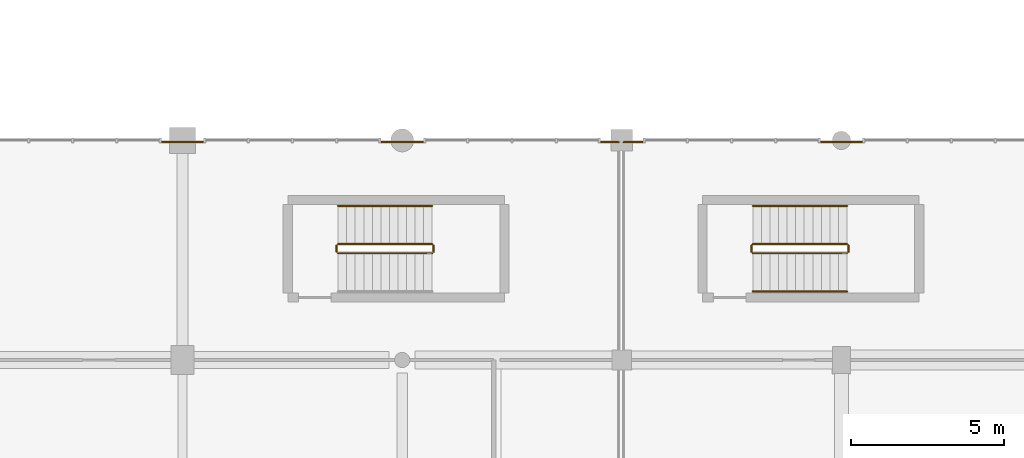
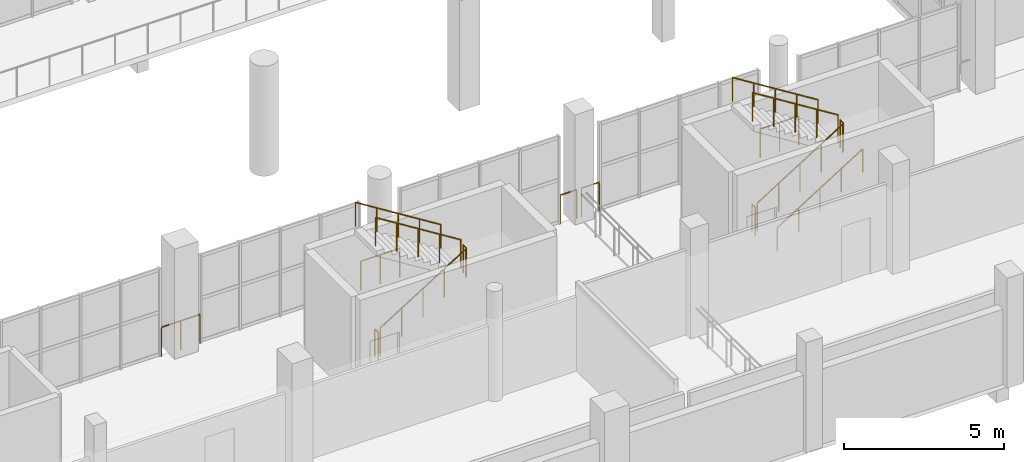
# One storey, part 85 of 92: 16 railings.
"""IFC4 building model written with IfcOpenShell, lengths in metres."""

import ifcopenshell
import ifcopenshell.guid

model = None  # the IFC model being written
_history = None  # IfcOwnerHistory: only IFC2X3 demands one
_inside = {}  # id of a spatial element -> (the spatial element, [elements in it])
_under = {}  # id of a project, library or spatial element -> (it, [spatial elements below it])
_declared = {}  # id of a project -> (the project, [libraries it declares])
_typed = {}  # id of a type object -> (the type object, [elements of that type])
_made_of = {}  # id of a material, layer set ... -> (it, [elements and type objects made of it])


def new_model(schema):
    """Start an empty IFC model of exactly this schema.

    Asked for "IFC4X3", IfcOpenShell would pick the latest addendum, in which some entities
    have other attributes; the version numbers below select the first issue.
    IFC2X3 requires an IfcOwnerHistory on every rooted entity: one is made here for all.
    """
    global model, _history
    if schema == "IFC4X3":
        model = ifcopenshell.file(schema_version=(4, 3, 0, 0))
    else:
        model = ifcopenshell.file(schema=schema)
    _inside.clear()
    _under.clear()
    _declared.clear()
    _typed.clear()
    _made_of.clear()
    _history = None
    if model.schema == "IFC2X3":
        org = make("IfcOrganization", Name="unknown")
        user = make(
            "IfcPersonAndOrganization",
            ThePerson=make("IfcPerson", FamilyName="unknown"),
            TheOrganization=org,
        )
        app = make(
            "IfcApplication",
            ApplicationDeveloper=org,
            Version="unknown",
            ApplicationFullName="unknown",
            ApplicationIdentifier="unknown",
        )
        _history = make(
            "IfcOwnerHistory",
            OwningUser=user,
            OwningApplication=app,
            ChangeAction="ADDED",
            CreationDate=0,
        )
    return model


def make(cls, **values):
    """One entity of the class cls with the attributes given. An attribute that is None is left unset."""
    return model.create_entity(
        cls, **{name: value for name, value in values.items() if value is not None}
    )


def rooted(cls, **values):
    """An entity with a GlobalId (a new one), such as an element, a storey or a relation."""
    return make(cls, GlobalId=ifcopenshell.guid.new(), OwnerHistory=_history, **values)


def si_unit(unit_type, name, prefix=None):
    """IfcSIUnit, for example si_unit("LENGTHUNIT", "METRE", prefix="MILLI")."""
    return make("IfcSIUnit", UnitType=unit_type, Prefix=prefix, Name=name)


def assignment(units):
    """IfcUnitAssignment: the units of a project."""
    return None if units is None else make("IfcUnitAssignment", Units=units)


def point(xyz):
    """IfcCartesianPoint."""
    return None if xyz is None else make("IfcCartesianPoint", Coordinates=xyz)


def direction(xyz):
    """IfcDirection."""
    return None if xyz is None else make("IfcDirection", DirectionRatios=xyz)


def frame(location, z_axis=None, x_axis=None):
    """IfcAxis2Placement3D, a coordinate frame: its origin and axes. An axis left out is left unset."""
    return make(
        "IfcAxis2Placement3D",
        Location=point(location),
        Axis=direction(z_axis),
        RefDirection=direction(x_axis),
    )


def frame_2d(location, x_axis=None):
    """IfcAxis2Placement2D, a coordinate frame in the plane: its origin and x axis."""
    return make(
        "IfcAxis2Placement2D", Location=point(location), RefDirection=direction(x_axis)
    )


def origin():
    """The frame at (0, 0, 0) with its axes left unset."""
    return frame((0.0, 0.0, 0.0))


def origin_2d():
    """The frame at (0, 0) in the plane with its x axis left unset."""
    return frame_2d((0.0, 0.0))


def place(relative_to, where):
    """IfcLocalPlacement: puts the frame where relative to a parent placement (None: the world)."""
    return make(
        "IfcLocalPlacement", PlacementRelTo=relative_to, RelativePlacement=where
    )


def context(
    kind, dimensions, precision=None, world=None, true_north=None, identifier=None
):
    """IfcGeometricRepresentationContext, for example the 3D "Model" context."""
    return make(
        "IfcGeometricRepresentationContext",
        ContextIdentifier=identifier,
        ContextType=kind,
        CoordinateSpaceDimension=dimensions,
        Precision=precision,
        WorldCoordinateSystem=world,
        TrueNorth=true_north,
    )


def subcontext(parent, identifier, kind, view, scale=None):
    """IfcGeometricRepresentationSubContext, for example "Body" below "Model"."""
    return make(
        "IfcGeometricRepresentationSubContext",
        ContextIdentifier=identifier,
        ContextType=kind,
        ParentContext=parent,
        TargetScale=scale,
        TargetView=view,
    )


def project(units=None, contexts=None):
    """IfcProject with its units and contexts."""
    return rooted(
        "IfcProject",
        Name="project",
        RepresentationContexts=contexts,
        UnitsInContext=assignment(units),
    )


def spatial(cls, under=None, at=None, **own):
    """A site, building, storey or space (cls), placed at a placement, below another one or the project."""
    s = rooted(cls, ObjectPlacement=at, **own)
    if under is not None:
        _under.setdefault(under.id(), (under, []))[1].append(s)
    return s


def profile(cls, at=None, kind="AREA", **sizes):
    """A parametric profile (cls). Its sizes go by their IFC names, for example OverallWidth=200.0."""
    return make(cls, ProfileType=kind, Position=at, **sizes)


def circle(**sizes):
    """IfcCircleProfileDef."""
    return profile("IfcCircleProfileDef", **sizes)


def extrude(swept, where, along, depth):
    """IfcExtrudedAreaSolid: the profile swept, set in the frame where, extruded along a direction by depth."""
    return make(
        "IfcExtrudedAreaSolid",
        SweptArea=swept,
        Position=where,
        ExtrudedDirection=direction(along),
        Depth=depth,
    )


def shape(context_of_items, identifier, shape_type, items):
    """IfcShapeRepresentation: the items that make up one representation, for example the "Body"."""
    return make(
        "IfcShapeRepresentation",
        ContextOfItems=context_of_items,
        RepresentationIdentifier=identifier,
        RepresentationType=shape_type,
        Items=items,
    )


def material(Name=None, Category=None):
    """IfcMaterial."""
    return make("IfcMaterial", Name=Name, Category=Category)


def layer(
    of_material, thickness, ventilated=None, Name=None, Category=None, Priority=None
):
    """IfcMaterialLayer: one layer of a wall or slab, of a material (None: an air gap)."""
    return make(
        "IfcMaterialLayer",
        Material=of_material,
        LayerThickness=thickness,
        IsVentilated=ventilated,
        Name=Name,
        Category=Category,
        Priority=Priority,
    )


def layer_set(layers, Name=None):
    """IfcMaterialLayerSet."""
    return make("IfcMaterialLayerSet", MaterialLayers=layers, LayerSetName=Name)


def made_of(thing, what):
    """Note that an element or type object is made of a material, layer set ...; save() writes the relation."""
    if what is not None:
        _made_of.setdefault(what.id(), (what, []))[1].append(thing)
    return thing


def type_object(cls, material=None, **own):
    """A type object (cls), such as IfcWallType, which elements share."""
    return made_of(rooted(cls, **own), material)


def element(
    cls,
    number,
    at=None,
    inside=None,
    cuts=None,
    type_object=None,
    material=None,
    context=None,
    identifier="Body",
    shape_type=None,
    held_by="IfcProductDefinitionShape",
    body=None,
    shapes=None,
    **own,
):
    """One element of the class cls, such as IfcWall. Its Tag is "e" and its number.

    at: its placement. inside: the storey or other place that contains it. cuts: it is an
    opening in that element (IfcRelVoidsElement). A single representation is given by context,
    identifier, shape_type and body (its items); several are given by shapes. held_by: the class
    of the entity that holds the representations. save() writes the other relations.
    """
    e = rooted(cls, Tag="e%d" % number, ObjectPlacement=at, **own)
    if body is not None:
        shapes = [shape(context, identifier, shape_type, body)]
    if shapes is not None:
        e.Representation = make(held_by, Representations=shapes)
    if inside is not None:
        _inside.setdefault(inside.id(), (inside, []))[1].append(e)
    if cuts is not None:
        rooted(
            "IfcRelVoidsElement", RelatingBuildingElement=cuts, RelatedOpeningElement=e
        )
    if type_object is not None:
        _typed.setdefault(type_object.id(), (type_object, []))[1].append(e)
    return made_of(e, material)


def aggregate(whole, parts):
    """IfcRelAggregates: a whole, such as a stair, and the parts it consists of."""
    return rooted("IfcRelAggregates", RelatingObject=whole, RelatedObjects=parts)


def save(model, path):
    """Write the relations noted so far, then the file.

    IfcRelAggregates (storeys below a building ...), IfcRelContainedInSpatialStructure (elements
    in a storey), IfcRelDefinesByType, IfcRelAssociatesMaterial and IfcRelDeclares: one each for
    every whole, place, type object, material and project.
    """
    for whole, parts in _under.values():
        aggregate(whole, parts)
    for where, things in _inside.values():
        rooted(
            "IfcRelContainedInSpatialStructure",
            RelatedElements=things,
            RelatingStructure=where,
        )
    for kind, things in _typed.values():
        rooted("IfcRelDefinesByType", RelatedObjects=things, RelatingType=kind)
    for what, things in _made_of.values():
        rooted("IfcRelAssociatesMaterial", RelatedObjects=things, RelatingMaterial=what)
    for by, libraries in _declared.values():
        rooted("IfcRelDeclares", RelatingContext=by, RelatedDefinitions=libraries)
    model.write(path)


model = new_model("IFC4")

# Units and contexts
model_context = context("Model", 3, precision=1e-05, world=origin(), true_north=direction((0.0, 1.0)))
body_context = subcontext(model_context, "Body", "Model", "MODEL_VIEW")
ifc_project = project(units=[si_unit("LENGTHUNIT", "METRE"), si_unit("AREAUNIT", "SQUARE_METRE"), si_unit("VOLUMEUNIT", "CUBIC_METRE"), si_unit("PLANEANGLEUNIT", "RADIAN"), si_unit("MASSUNIT", "GRAM", prefix="KILO")], contexts=[model_context])

# Site, building, storey
site_placement = place(None, origin())
site = spatial("IfcSite", under=ifc_project, at=site_placement, CompositionType="ELEMENT")
building_placement = place(site_placement, origin())
building = spatial("IfcBuilding", under=site, at=building_placement, Name="Solanera Park Tramway Depot", CompositionType="ELEMENT")
storey_placement = place(building_placement, frame((0.0, 0.0, 4.800048828125)))
storey = spatial("IfcBuildingStorey", under=building, at=storey_placement, Name="L01", CompositionType="ELEMENT", Elevation=4.800048828125)

# Railings
ifc_material_1 = material(Name="Powder-coated galvanised steel balustrade", Category="steel")
ifc_layer_1 = layer(ifc_material_1, 0.06005859375)
ifc_layer_set_1 = layer_set([ifc_layer_1], Name="Powder-coated galvanised steel balustrade")
railing_type_1 = type_object("IfcRailingType", Name="Classical Wrought-Style Balustrade 1120", PredefinedType="BALUSTRADE", material=ifc_layer_set_1)
for number, where, name in (
    (1, (136.10009765625, 25.139892578125, 0.0), "L01 Perimeter Deck Balustrade #007"),
    (2, (143.300048828125, 25.139892578125, 0.0), "L01 Perimeter Deck Balustrade #008"),
):
    element("IfcRailing", number, at=place(storey_placement, frame(where)), inside=storey, type_object=railing_type_1, Name=name, PredefinedType="BALUSTRADE", context=body_context, shape_type="SweptSolid", body=[
        extrude(circle(Radius=0.02392578125, at=origin_2d()), frame((0.0, 0.0, 1.09619140625), z_axis=(1.0, 0.0, 0.0), x_axis=(0.0, 1.0, 0.0)), (0.0, 0.0, 1.0), 1.39990234375),
        extrude(circle(Radius=0.02099609375, at=origin_2d()), origin(), (0.0, 0.0, 1.0), 1.072021484375),
        extrude(circle(Radius=0.02099609375, at=origin_2d()), frame((0.699951171875, 0.0, 0.0)), (0.0, 0.0, 1.0), 1.072021484375),
        extrude(circle(Radius=0.02099609375, at=origin_2d()), frame((1.39990234375, 0.0, 0.0)), (0.0, 0.0, 1.0), 1.072021484375),
    ])
railing_1_placement = place(storey_placement, frame((150.5, 25.139892578125, 0.0)))
element("IfcRailing", 3, at=railing_1_placement, inside=storey, type_object=railing_type_1, Name="L01 Perimeter Deck Balustrade #009", PredefinedType="BALUSTRADE", context=body_context, shape_type="SweptSolid", body=[
    extrude(circle(Radius=0.02392578125, at=origin_2d()), frame((0.0, 0.0, 1.09619140625), z_axis=(1.0, 0.0, 0.0), x_axis=(0.0, 1.0, 0.0)), (0.0, 0.0, 1.0), 0.590087890625),
    extrude(circle(Radius=0.02099609375, at=origin_2d()), origin(), (0.0, 0.0, 1.0), 1.072021484375),
    extrude(circle(Radius=0.02099609375, at=origin_2d()), frame((0.590087890625, 0.0, 0.0)), (0.0, 0.0, 1.0), 1.072021484375),
])
railing_2_placement = place(storey_placement, frame((151.260009765625, 25.139892578125, 0.0)))
element("IfcRailing", 4, at=railing_2_placement, inside=storey, type_object=railing_type_1, Name="L01 Perimeter Deck Balustrade #025", PredefinedType="BALUSTRADE", context=body_context, shape_type="SweptSolid", body=[
    extrude(circle(Radius=0.02392578125, at=origin_2d()), frame((0.0, 0.0, 1.09619140625), z_axis=(1.0, 0.0, 0.0), x_axis=(0.0, 1.0, 0.0)), (0.0, 0.0, 1.0), 0.639892578125),
    extrude(circle(Radius=0.02099609375, at=origin_2d()), origin(), (0.0, 0.0, 1.0), 1.072021484375),
    extrude(circle(Radius=0.02099609375, at=origin_2d()), frame((0.639892578125, 0.0, 0.0)), (0.0, 0.0, 1.0), 1.072021484375),
])
railing_3_placement = place(storey_placement, frame((157.699951171875, 25.139892578125, 0.0)))
element("IfcRailing", 5, at=railing_3_placement, inside=storey, type_object=railing_type_1, Name="L01 Perimeter Deck Balustrade #026", PredefinedType="BALUSTRADE", context=body_context, shape_type="SweptSolid", body=[
    extrude(circle(Radius=0.02392578125, at=origin_2d()), frame((0.0, 0.0, 1.09619140625), z_axis=(1.0, 0.0, 0.0), x_axis=(0.0, 1.0, 0.0)), (0.0, 0.0, 1.0), 1.400146484375),
    extrude(circle(Radius=0.02099609375, at=origin_2d()), origin(), (0.0, 0.0, 1.0), 1.072021484375),
    extrude(circle(Radius=0.02099609375, at=origin_2d()), frame((0.7001953125, 0.0, 0.0)), (0.0, 0.0, 1.0), 1.072021484375),
    extrude(circle(Radius=0.02099609375, at=origin_2d()), frame((1.400146484375, 0.0, 0.0)), (0.0, 0.0, 1.0), 1.072021484375),
])
ifc_material_2 = material(Name="Brushed stainless steel 316 handrail", Category="steel")
ifc_layer_2 = layer(ifc_material_2, 0.050048828125)
ifc_layer_set_2 = layer_set([ifc_layer_2], Name="Brushed stainless steel 316 handrail")
railing_type_2 = type_object("IfcRailingType", Name="Stair Pitch Tubular Handrail 920", PredefinedType="HANDRAIL", material=ifc_layer_set_2)
railing_4_placement = place(storey_placement, frame((144.97998046875, 23.050048828125, 2.27490234375)))
element("IfcRailing", 6, at=railing_4_placement, inside=storey, type_object=railing_type_2, Name="ST-02 L01 Pitch Handrail 2", PredefinedType="HANDRAIL", context=body_context, shape_type="SweptSolid", body=[
    extrude(circle(Radius=0.02392578125, at=origin_2d()), frame((0.0, 0.0, 0.89599609375), z_axis=(-0.847998304005, 0.0, 0.529998940003), x_axis=(0.0, -1.0, 0.0)), (0.0, 0.0, 1.0), 3.632080078125),
    extrude(circle(Radius=0.02099609375, at=origin_2d()), origin(), (0.0, 0.0, 1.0), 0.871826171875),
    extrude(circle(Radius=0.02099609375, at=origin_2d()), frame((-0.77001953125, 0.0, 0.481201171875)), (0.0, 0.0, 1.0), 0.871826171875),
    extrude(circle(Radius=0.02099609375, at=origin_2d()), frame((-1.5400390625, 0.0, 0.96240234375)), (0.0, 0.0, 1.0), 0.871826171875),
    extrude(circle(Radius=0.02099609375, at=origin_2d()), frame((-2.31005859375, 0.0, 1.44384765625)), (0.0, 0.0, 1.0), 0.871826171875),
    extrude(circle(Radius=0.02099609375, at=origin_2d()), frame((-3.080078125, 0.0, 1.925048828125)), (0.0, 0.0, 1.0), 0.871826171875),
])
railing_5_placement = place(storey_placement, frame((155.5, 20.25, 0.175048828125)))
element("IfcRailing", 7, at=railing_5_placement, inside=storey, type_object=railing_type_2, Name="ST-03 L01 Pitch Handrail 1", PredefinedType="HANDRAIL", context=body_context, shape_type="SweptSolid", body=[
    extrude(circle(Radius=0.02392578125, at=origin_2d()), frame((0.0, 0.0, 0.89599609375), z_axis=(0.848028513186, 0.0, 0.529950602248), x_axis=(0.0, 1.0, 0.0)), (0.0, 0.0, 1.0), 3.632080078125),
    extrude(circle(Radius=0.02099609375, at=origin_2d()), origin(), (0.0, 0.0, 1.0), 0.871826171875),
    extrude(circle(Radius=0.02099609375, at=origin_2d()), frame((0.77001953125, 0.0, 0.481201171875)), (0.0, 0.0, 1.0), 0.871826171875),
    extrude(circle(Radius=0.02099609375, at=origin_2d()), frame((1.5400390625, 0.0, 0.96240234375)), (0.0, 0.0, 1.0), 0.871826171875),
    extrude(circle(Radius=0.02099609375, at=origin_2d()), frame((2.31005859375, 0.0, 1.443603515625)), (0.0, 0.0, 1.0), 0.871826171875),
    extrude(circle(Radius=0.02099609375, at=origin_2d()), frame((3.080078125, 0.0, 1.9248046875)), (0.0, 0.0, 1.0), 0.871826171875),
])
railing_6_placement = place(storey_placement, frame((158.580078125, 23.050048828125, 2.27490234375)))
element("IfcRailing", 8, at=railing_6_placement, inside=storey, type_object=railing_type_2, Name="ST-03 L01 Pitch Handrail 2", PredefinedType="HANDRAIL", context=body_context, shape_type="SweptSolid", body=[
    extrude(circle(Radius=0.02392578125, at=origin_2d()), frame((0.0, 0.0, 0.89599609375), z_axis=(-0.847998304005, 0.0, 0.529998940003), x_axis=(0.0, -1.0, 0.0)), (0.0, 0.0, 1.0), 3.632080078125),
    extrude(circle(Radius=0.02099609375, at=origin_2d()), origin(), (0.0, 0.0, 1.0), 0.871826171875),
    extrude(circle(Radius=0.02099609375, at=origin_2d()), frame((-0.77001953125, 0.0, 0.481201171875)), (0.0, 0.0, 1.0), 0.871826171875),
    extrude(circle(Radius=0.02099609375, at=origin_2d()), frame((-1.5400390625, 0.0, 0.96240234375)), (0.0, 0.0, 1.0), 0.871826171875),
    extrude(circle(Radius=0.02099609375, at=origin_2d()), frame((-2.31005859375, 0.0, 1.44384765625)), (0.0, 0.0, 1.0), 0.871826171875),
    extrude(circle(Radius=0.02099609375, at=origin_2d()), frame((-3.080078125, 0.0, 1.925048828125)), (0.0, 0.0, 1.0), 0.871826171875),
])
ifc_material_3 = material(Name="Steel AS/NZS 1163 Grade C350L0", Category="steel")
ifc_layer_3 = layer(ifc_material_3, 0.06005859375)
ifc_layer_set_3 = layer_set([ifc_layer_3], Name="Steel AS/NZS 1163 Grade C350L0")
railing_type_3 = type_object("IfcRailingType", Name="Stairwell Guardrail 1100", PredefinedType="GUARDRAIL", material=ifc_layer_set_3)
railing_7_placement = place(storey_placement, frame((141.89990234375, 21.5, 0.175048828125)))
element("IfcRailing", 9, at=railing_7_placement, inside=storey, type_object=railing_type_3, Name="ST-02 L01 Well Guard 1", PredefinedType="GUARDRAIL", context=body_context, shape_type="SweptSolid", body=[
    extrude(circle(Radius=0.02392578125, at=origin_2d()), frame((0.0, 0.0, 1.076171875), z_axis=(0.848028513186, 0.0, 0.529950602248), x_axis=(0.0, 1.0, 0.0)), (0.0, 0.0, 1.0), 3.632080078125),
    extrude(circle(Radius=0.02099609375, at=origin_2d()), origin(), (0.0, 0.0, 1.0), 1.052001953125),
    extrude(circle(Radius=0.02099609375, at=origin_2d()), frame((0.77001953125, 0.0, 0.481201171875)), (0.0, 0.0, 1.0), 1.052001953125),
    extrude(circle(Radius=0.02099609375, at=origin_2d()), frame((1.5400390625, 0.0, 0.96240234375)), (0.0, 0.0, 1.0), 1.052001953125),
    extrude(circle(Radius=0.02099609375, at=origin_2d()), frame((2.31005859375, 0.0, 1.443603515625)), (0.0, 0.0, 1.0), 1.052001953125),
    extrude(circle(Radius=0.02099609375, at=origin_2d()), frame((3.080078125, 0.0, 1.9248046875)), (0.0, 0.0, 1.0), 1.052001953125),
])
railing_8_placement = place(storey_placement, frame((145.030029296875, 21.550048828125, 2.099853515625)))
element("IfcRailing", 10, at=railing_8_placement, inside=storey, type_object=railing_type_3, Name="ST-02 L01 Well Guard 2", PredefinedType="GUARDRAIL", context=body_context, shape_type="SweptSolid", body=[
    extrude(circle(Radius=0.02392578125, at=origin_2d()), frame((0.0, 0.0, 1.076171875), z_axis=(0.0, 1.0, 0.0), x_axis=(-1.0, 0.0, 0.0)), (0.0, 0.0, 1.0), 0.199951171875),
    extrude(circle(Radius=0.02099609375, at=origin_2d()), origin(), (0.0, 0.0, 1.0), 1.052001953125),
    extrude(circle(Radius=0.02099609375, at=origin_2d()), frame((0.0, 0.199951171875, 0.0)), (0.0, 0.0, 1.0), 1.052001953125),
])
railing_9_placement = place(storey_placement, frame((144.97998046875, 21.800048828125, 2.27490234375)))
element("IfcRailing", 11, at=railing_9_placement, inside=storey, type_object=railing_type_3, Name="ST-02 L01 Well Guard 3", PredefinedType="GUARDRAIL", context=body_context, shape_type="SweptSolid", body=[
    extrude(circle(Radius=0.02392578125, at=origin_2d()), frame((0.0, 0.0, 1.076171875), z_axis=(-0.847998304005, 0.0, 0.529998940003), x_axis=(0.0, -1.0, 0.0)), (0.0, 0.0, 1.0), 3.632080078125),
    extrude(circle(Radius=0.02099609375, at=origin_2d()), origin(), (0.0, 0.0, 1.0), 1.052001953125),
    extrude(circle(Radius=0.02099609375, at=origin_2d()), frame((-0.77001953125, 0.0, 0.481201171875)), (0.0, 0.0, 1.0), 1.052001953125),
    extrude(circle(Radius=0.02099609375, at=origin_2d()), frame((-1.5400390625, 0.0, 0.96240234375)), (0.0, 0.0, 1.0), 1.052001953125),
    extrude(circle(Radius=0.02099609375, at=origin_2d()), frame((-2.31005859375, 0.0, 1.44384765625)), (0.0, 0.0, 1.0), 1.052001953125),
    extrude(circle(Radius=0.02099609375, at=origin_2d()), frame((-3.080078125, 0.0, 1.925048828125)), (0.0, 0.0, 1.0), 1.052001953125),
])
railing_10_placement = place(storey_placement, frame((141.85009765625, 21.550048828125, 0.0)))
element("IfcRailing", 12, at=railing_10_placement, inside=storey, type_object=railing_type_3, Name="ST-02 L01 Well Guard 4", PredefinedType="GUARDRAIL", context=body_context, shape_type="SweptSolid", body=[
    extrude(circle(Radius=0.02392578125, at=origin_2d()), frame((0.0, 0.0, 1.076171875), z_axis=(0.0, 1.0, 0.0), x_axis=(-1.0, 0.0, 0.0)), (0.0, 0.0, 1.0), 0.199951171875),
    extrude(circle(Radius=0.02099609375, at=origin_2d()), origin(), (0.0, 0.0, 1.0), 1.052001953125),
    extrude(circle(Radius=0.02099609375, at=origin_2d()), frame((0.0, 0.199951171875, 0.0)), (0.0, 0.0, 1.0), 1.052001953125),
])
railing_11_placement = place(storey_placement, frame((155.5, 21.5, 0.175048828125)))
element("IfcRailing", 13, at=railing_11_placement, inside=storey, type_object=railing_type_3, Name="ST-03 L01 Well Guard 1", PredefinedType="GUARDRAIL", context=body_context, shape_type="SweptSolid", body=[
    extrude(circle(Radius=0.02392578125, at=origin_2d()), frame((0.0, 0.0, 1.076171875), z_axis=(0.848028513186, 0.0, 0.529950602248), x_axis=(0.0, 1.0, 0.0)), (0.0, 0.0, 1.0), 3.632080078125),
    extrude(circle(Radius=0.02099609375, at=origin_2d()), origin(), (0.0, 0.0, 1.0), 1.052001953125),
    extrude(circle(Radius=0.02099609375, at=origin_2d()), frame((0.77001953125, 0.0, 0.481201171875)), (0.0, 0.0, 1.0), 1.052001953125),
    extrude(circle(Radius=0.02099609375, at=origin_2d()), frame((1.5400390625, 0.0, 0.96240234375)), (0.0, 0.0, 1.0), 1.052001953125),
    extrude(circle(Radius=0.02099609375, at=origin_2d()), frame((2.31005859375, 0.0, 1.443603515625)), (0.0, 0.0, 1.0), 1.052001953125),
    extrude(circle(Radius=0.02099609375, at=origin_2d()), frame((3.080078125, 0.0, 1.9248046875)), (0.0, 0.0, 1.0), 1.052001953125),
])
railing_12_placement = place(storey_placement, frame((158.6298828125, 21.550048828125, 2.099853515625)))
element("IfcRailing", 14, at=railing_12_placement, inside=storey, type_object=railing_type_3, Name="ST-03 L01 Well Guard 2", PredefinedType="GUARDRAIL", context=body_context, shape_type="SweptSolid", body=[
    extrude(circle(Radius=0.02392578125, at=origin_2d()), frame((0.0, 0.0, 1.076171875), z_axis=(0.0, 1.0, 0.0), x_axis=(-1.0, 0.0, 0.0)), (0.0, 0.0, 1.0), 0.199951171875),
    extrude(circle(Radius=0.02099609375, at=origin_2d()), origin(), (0.0, 0.0, 1.0), 1.052001953125),
    extrude(circle(Radius=0.02099609375, at=origin_2d()), frame((0.0, 0.199951171875, 0.0)), (0.0, 0.0, 1.0), 1.052001953125),
])
railing_13_placement = place(storey_placement, frame((158.580078125, 21.800048828125, 2.27490234375)))
element("IfcRailing", 15, at=railing_13_placement, inside=storey, type_object=railing_type_3, Name="ST-03 L01 Well Guard 3", PredefinedType="GUARDRAIL", context=body_context, shape_type="SweptSolid", body=[
    extrude(circle(Radius=0.02392578125, at=origin_2d()), frame((0.0, 0.0, 1.076171875), z_axis=(-0.847998304005, 0.0, 0.529998940003), x_axis=(0.0, -1.0, 0.0)), (0.0, 0.0, 1.0), 3.632080078125),
    extrude(circle(Radius=0.02099609375, at=origin_2d()), origin(), (0.0, 0.0, 1.0), 1.052001953125),
    extrude(circle(Radius=0.02099609375, at=origin_2d()), frame((-0.77001953125, 0.0, 0.481201171875)), (0.0, 0.0, 1.0), 1.052001953125),
    extrude(circle(Radius=0.02099609375, at=origin_2d()), frame((-1.5400390625, 0.0, 0.96240234375)), (0.0, 0.0, 1.0), 1.052001953125),
    extrude(circle(Radius=0.02099609375, at=origin_2d()), frame((-2.31005859375, 0.0, 1.44384765625)), (0.0, 0.0, 1.0), 1.052001953125),
    extrude(circle(Radius=0.02099609375, at=origin_2d()), frame((-3.080078125, 0.0, 1.925048828125)), (0.0, 0.0, 1.0), 1.052001953125),
])
railing_14_placement = place(storey_placement, frame((155.449951171875, 21.550048828125, 0.0)))
element("IfcRailing", 16, at=railing_14_placement, inside=storey, type_object=railing_type_3, Name="ST-03 L01 Well Guard 4", PredefinedType="GUARDRAIL", context=body_context, shape_type="SweptSolid", body=[
    extrude(circle(Radius=0.02392578125, at=origin_2d()), frame((0.0, 0.0, 1.076171875), z_axis=(0.0, 1.0, 0.0), x_axis=(-1.0, 0.0, 0.0)), (0.0, 0.0, 1.0), 0.199951171875),
    extrude(circle(Radius=0.02099609375, at=origin_2d()), origin(), (0.0, 0.0, 1.0), 1.052001953125),
    extrude(circle(Radius=0.02099609375, at=origin_2d()), frame((0.0, 0.199951171875, 0.0)), (0.0, 0.0, 1.0), 1.052001953125),
])

save(model, "model.ifc")
